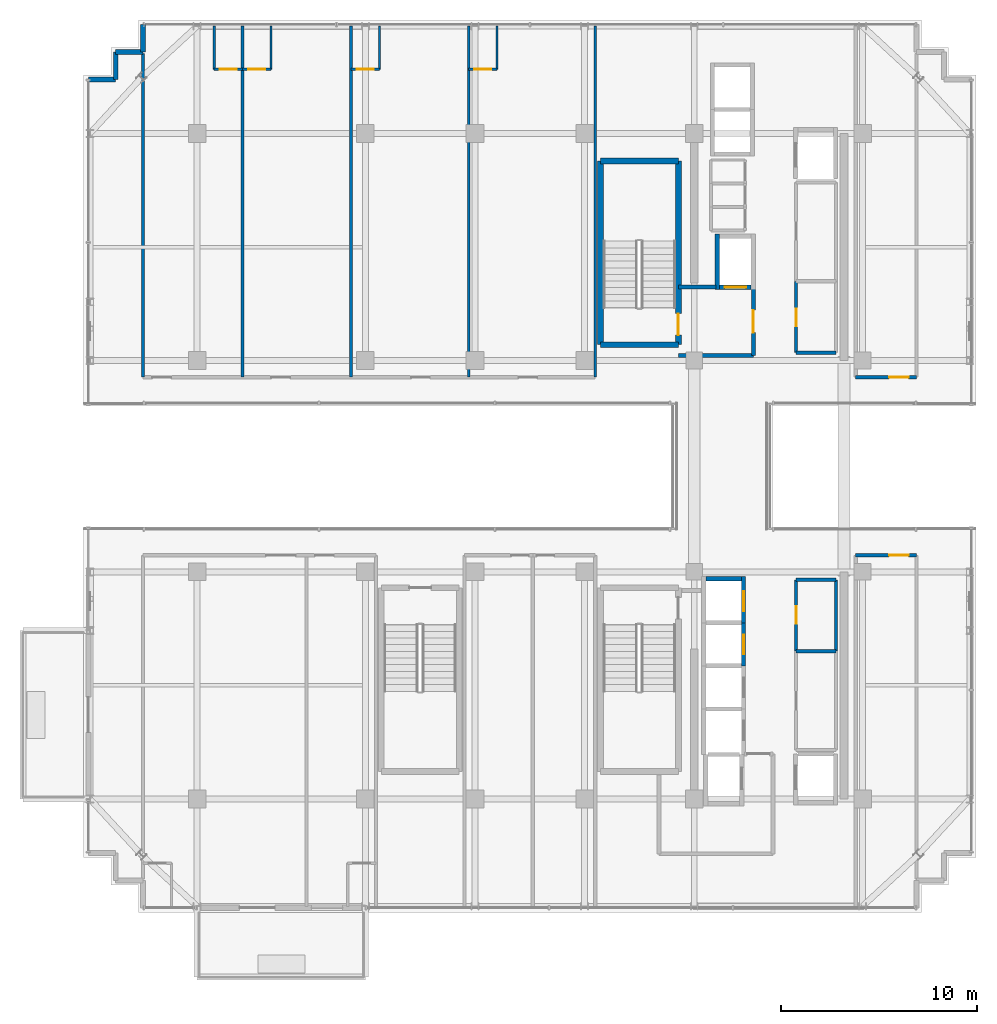
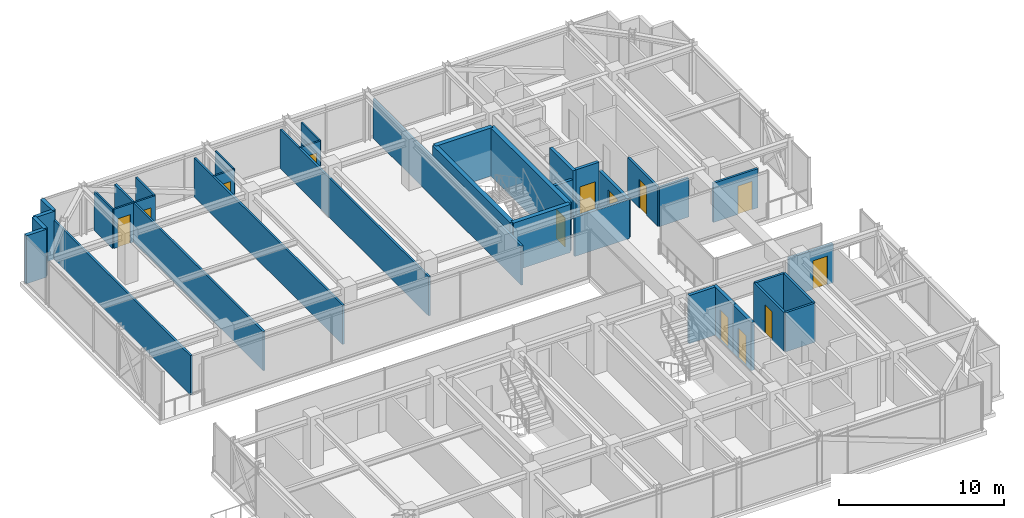
# One storey, part 32 of 37: 37 walls, 13 doors, 13 openings.
"""IFC4 building model written with IfcOpenShell, lengths in metres."""

from ifc_helpers import new_model, si_unit, direction, frame, frame_2d, origin, place, context, subcontext, project, spatial, rectangle, extrude, source, transform, mapped, material, layer, layer_set, type_object, element, fill, save


model = new_model("IFC4")

# Units and contexts
model_context = context("Model", 3, precision=1e-05, world=origin(), true_north=direction((0.0, 1.0)))
body_context = subcontext(model_context, "Body", "Model", "MODEL_VIEW")
ifc_project = project(units=[si_unit("LENGTHUNIT", "METRE"), si_unit("AREAUNIT", "SQUARE_METRE"), si_unit("VOLUMEUNIT", "CUBIC_METRE"), si_unit("PLANEANGLEUNIT", "RADIAN"), si_unit("MASSUNIT", "GRAM", prefix="KILO")], contexts=[model_context])

# Site, building, storey
site_placement = place(None, origin())
site = spatial("IfcSite", under=ifc_project, at=site_placement, CompositionType="ELEMENT")
building_placement = place(site_placement, origin())
building = spatial("IfcBuilding", under=site, at=building_placement, Name="Nahalor Promenade Grand Hotel", CompositionType="ELEMENT")
storey_placement = place(building_placement, frame((0.0, 0.0, 292.64990234375)))
storey = spatial("IfcBuildingStorey", under=building, at=storey_placement, Name="L75", CompositionType="ELEMENT", Elevation=292.64990234375)

# Walls
ifc_material_1 = material(Name="Concrete B-50 (C40/50)", Category="concrete")
ifc_layer_1 = layer(ifc_material_1, 0.300048828125)
ifc_layer_set_1 = layer_set([ifc_layer_1], Name="Concrete B-50 (C40/50)")
wall_type_1 = type_object("IfcWallType", Name="Wall-ShaftShear-300", PredefinedType="SHEAR", material=ifc_layer_set_1)
shared_shape_1 = source(origin(), body_context, "Body", "SweptSolid", [
    extrude(rectangle(XDim=3.97998046875, YDim=0.300048828125, at=frame_2d((1.989990234375, 0.0))), origin(), (0.0, 0.0, 1.0), 3.550048828125),
])
for number, where, z_axis, x_axis, name in (
    (1, (3.610107421875, 6.2099609375, 0.0), (0.0, 0.0, 1.0), (1.0, 0.0, 0.0), "L75 Exit Stair ST1 Shaft Wall S"),
    (2, (3.610107421875, 15.590087890625, 0.0), (0.0, 0.0, 1.0), (1.0, 0.0, 0.0), "L75 Exit Stair ST1 Shaft Wall N"),
):
    element("IfcWall", number, at=place(storey_placement, frame(where, z_axis=z_axis, x_axis=x_axis)), inside=storey, type_object=wall_type_1, Name=name, PredefinedType="SHEAR", context=body_context, shape_type="MappedRepresentation", body=[
        mapped(shared_shape_1, transform((0.0, 0.0, 0.0), scale=1.0)),
    ])
shared_shape_2 = source(origin(), body_context, "Body", "SweptSolid", [
    extrude(rectangle(XDim=9.380126953125, YDim=0.300048828125, at=frame_2d((4.68994140625, 0.0))), origin(), (0.0, 0.0, 1.0), 3.550048828125),
])
wall_1_placement = place(storey_placement, frame((3.610107421875, 6.2099609375, 0.0), z_axis=(0.0, 0.0, 1.0), x_axis=(0.0, 1.0, 0.0)))
element("IfcWall", 3, at=wall_1_placement, inside=storey, type_object=wall_type_1, Name="L75 Exit Stair ST1 Shaft Wall W", PredefinedType="SHEAR", context=body_context, shape_type="MappedRepresentation", body=[
    mapped(shared_shape_2, transform((0.0, 0.0, 0.0), scale=1.0)),
])

# Wall, opening, door
wall_2_placement = place(storey_placement, frame((7.590087890625, 6.2099609375, 0.0), z_axis=(0.0, 0.0, 1.0), x_axis=(0.0, 1.0, 0.0)))
wall_2 = element("IfcWall", 4, at=wall_2_placement, inside=storey, type_object=wall_type_1, Name="L75 Exit Stair ST1 Shaft Wall E", PredefinedType="SHEAR", context=body_context, shape_type="MappedRepresentation", body=[
    mapped(shared_shape_2, transform((0.0, 0.0, 0.0), scale=1.0)),
])
opening_1_placement = place(wall_2_placement, frame((0.489990234375, 0.0, 0.0)))
opening_1 = element("IfcOpeningElement", 5, at=opening_1_placement, cuts=wall_2, Name="Opening D-ST1", PredefinedType="OPENING", context=body_context, shape_type="SweptSolid", body=[
    extrude(rectangle(XDim=1.10009765625, YDim=2.14990234375, at=frame_2d((0.550048828125, 1.074951171875))), frame((0.0, 0.159912109375, 0.0), z_axis=(0.0, -1.0, 0.0), x_axis=(1.0, 0.0, 0.0)), (0.0, 0.0, 1.0), 0.320068359375),
])
ifc_material_2 = material(Name="Steel S355JR", Category="steel")
door_type_1 = type_object("IfcDoorType", Name="Door-StairFire-1100", OperationType="NOTDEFINED", PredefinedType="DOOR", material=ifc_material_2)
shared_shape_3 = source(origin(), body_context, "Body", "SweptSolid", [
    extrude(rectangle(XDim=1.10009765625, YDim=2.14990234375, at=frame_2d((0.550048828125, 1.074951171875))), frame((0.0, 0.02490234375, 0.0), z_axis=(0.0, -1.0, 0.0), x_axis=(1.0, 0.0, 0.0)), (0.0, 0.0, 1.0), 0.050048828125),
])
door_1_placement = place(opening_1_placement, origin())
door_1 = element("IfcDoor", 6, at=door_1_placement, inside=storey, type_object=door_type_1, Name="DR-STAIR-ST1-L75", OperationType="SINGLE_SWING_RIGHT", OverallHeight=2.14990234375, OverallWidth=1.10009765625, PredefinedType="DOOR", context=body_context, shape_type="MappedRepresentation", body=[
    mapped(shared_shape_3, transform((0.0, 0.0, 0.0), scale=1.0)),
])
fill(opening_1, door_1)

ifc_layer_2 = layer(ifc_material_1, 0.219970703125)
ifc_layer_set_2 = layer_set([ifc_layer_2], Name="Concrete B-50 (C40/50)")
wall_type_2 = type_object("IfcWallType", Name="Wall-LiftShaft-220", PredefinedType="SHEAR", material=ifc_layer_set_2)
shared_shape_4 = source(origin(), body_context, "Body", "SweptSolid", [
    extrude(rectangle(XDim=2.360107421875, YDim=0.219970703125, at=frame_2d((1.18017578125, 0.0))), origin(), (0.0, 0.0, 1.0), 3.550048828125),
])
wall_3_placement = place(storey_placement, frame((10.919921875, -8.0, 0.0), z_axis=(0.0, 0.0, 1.0), x_axis=(0.0, 1.0, 0.0)))
wall_3 = element("IfcWall", 7, at=wall_3_placement, inside=storey, type_object=wall_type_2, Name="L75 Lift PL9 Hoistway Wall E", PredefinedType="SHEAR", context=body_context, shape_type="MappedRepresentation", body=[
    mapped(shared_shape_4, transform((0.0, 0.0, 0.0), scale=1.0)),
])
opening_2_placement = place(wall_3_placement, frame((0.60009765625, 0.0, 0.0)))
opening_2 = element("IfcOpeningElement", 8, at=opening_2_placement, cuts=wall_3, Name="Opening LD-01", PredefinedType="OPENING", context=body_context, shape_type="SweptSolid", body=[
    extrude(rectangle(XDim=1.0, YDim=2.199951171875, at=frame_2d((0.5, 1.10009765625))), frame((0.0, 0.119873046875, 0.0), z_axis=(0.0, -1.0, 0.0), x_axis=(1.0, 0.0, 0.0)), (0.0, 0.0, 1.0), 0.239990234375),
])
door_type_2 = type_object("IfcDoorType", Name="Door-LiftLanding-1000", OperationType="DOUBLE_DOOR_SLIDING", PredefinedType="DOOR", material=ifc_material_2)
shared_shape_5 = source(origin(), body_context, "Body", "SweptSolid", [
    extrude(rectangle(XDim=1.0, YDim=2.199951171875, at=frame_2d((0.5, 1.10009765625))), frame((0.0, 0.02490234375, 0.0), z_axis=(0.0, -1.0, 0.0), x_axis=(1.0, 0.0, 0.0)), (0.0, 0.0, 1.0), 0.050048828125),
])
door_2_placement = place(opening_2_placement, frame((1.0, 0.0, 0.0), z_axis=(0.0, 0.0, 1.0), x_axis=(-1.0, 0.0, 0.0)))
door_2 = element("IfcDoor", 9, at=door_2_placement, inside=storey, type_object=door_type_2, Name="DR-LIFT-PL9-L75", OperationType="DOUBLE_DOOR_SLIDING", OverallHeight=2.199951171875, OverallWidth=1.0, PredefinedType="DOOR", context=body_context, shape_type="MappedRepresentation", body=[
    mapped(shared_shape_5, transform((0.0, 0.0, 0.0), scale=1.0)),
])
fill(opening_2, door_2)

# Wall
shared_shape_6 = source(origin(), body_context, "Body", "SweptSolid", [
    extrude(rectangle(XDim=1.820068359375, YDim=0.219970703125, at=frame_2d((0.91015625, 0.0))), origin(), (0.0, 0.0, 1.0), 3.550048828125),
])
wall_4_placement = place(storey_placement, frame((8.989990234375, -5.75, 0.0), z_axis=(0.0, 0.0, 1.0), x_axis=(1.0, 0.0, 0.0)))
element("IfcWall", 10, at=wall_4_placement, inside=storey, type_object=wall_type_2, Name="L75 Lift PL9 Hoistway Wall N", PredefinedType="SHEAR", context=body_context, shape_type="MappedRepresentation", body=[
    mapped(shared_shape_6, transform((0.0, 0.0, 0.0), scale=1.0)),
])

# Wall, opening, door
shared_shape_7 = source(origin(), body_context, "Body", "SweptSolid", [
    extrude(rectangle(XDim=2.199951171875, YDim=0.219970703125, at=frame_2d((1.10009765625, 0.0))), origin(), (0.0, 0.0, 1.0), 3.550048828125),
])
wall_5_placement = place(storey_placement, frame((10.919921875, -10.199951171875, 0.0), z_axis=(0.0, 0.0, 1.0), x_axis=(0.0, 1.0, 0.0)))
wall_5 = element("IfcWall", 11, at=wall_5_placement, inside=storey, type_object=wall_type_2, Name="L75 Lift PL10 Hoistway Wall E", PredefinedType="SHEAR", context=body_context, shape_type="MappedRepresentation", body=[
    mapped(shared_shape_7, transform((0.0, 0.0, 0.0), scale=1.0)),
])
opening_3_placement = place(wall_5_placement, frame((0.60009765625, 0.0, 0.0)))
opening_3 = element("IfcOpeningElement", 12, at=opening_3_placement, cuts=wall_5, Name="Opening LD-01", PredefinedType="OPENING", context=body_context, shape_type="SweptSolid", body=[
    extrude(rectangle(XDim=1.0, YDim=2.199951171875, at=frame_2d((0.5, 1.10009765625))), frame((0.0, 0.119873046875, 0.0), z_axis=(0.0, -1.0, 0.0), x_axis=(1.0, 0.0, 0.0)), (0.0, 0.0, 1.0), 0.239990234375),
])
door_3_placement = place(opening_3_placement, frame((1.0, 0.0, 0.0), z_axis=(0.0, 0.0, 1.0), x_axis=(-1.0, 0.0, 0.0)))
door_3 = element("IfcDoor", 13, at=door_3_placement, inside=storey, type_object=door_type_2, Name="DR-LIFT-PL10-L75", OperationType="DOUBLE_DOOR_SLIDING", OverallHeight=2.199951171875, OverallWidth=1.0, PredefinedType="DOOR", context=body_context, shape_type="MappedRepresentation", body=[
    mapped(shared_shape_5, transform((0.0, 0.0, 0.0), scale=1.0)),
])
fill(opening_3, door_3)

# Wall
shared_shape_8 = source(origin(), body_context, "Body", "SweptSolid", [
    extrude(rectangle(XDim=2.820068359375, YDim=0.219970703125, at=frame_2d((1.41015625, 0.0))), origin(), (0.0, 0.0, 1.0), 3.550048828125),
])
wall_6_placement = place(storey_placement, frame((9.580078125, 9.0400390625, 0.0), z_axis=(0.0, 0.0, 1.0), x_axis=(0.0, 1.0, 0.0)))
element("IfcWall", 14, at=wall_6_placement, inside=storey, type_object=wall_type_2, Name="L75 Lift FL1 Hoistway Wall W", PredefinedType="SHEAR", context=body_context, shape_type="MappedRepresentation", body=[
    mapped(shared_shape_8, transform((0.0, 0.0, 0.0), scale=1.0)),
])

# Wall, opening, door
shared_shape_9 = source(origin(), body_context, "Body", "SweptSolid", [
    extrude(rectangle(XDim=1.6201171875, YDim=0.219970703125, at=frame_2d((0.81005859375, 0.0))), origin(), (0.0, 0.0, 1.0), 3.550048828125),
])
wall_7_placement = place(storey_placement, frame((9.68994140625, 9.14990234375, 0.0), z_axis=(0.0, 0.0, 1.0), x_axis=(1.0, 0.0, 0.0)))
wall_7 = element("IfcWall", 15, at=wall_7_placement, inside=storey, type_object=wall_type_2, Name="L75 Lift FL1 Hoistway Wall S", PredefinedType="SHEAR", context=body_context, shape_type="MappedRepresentation", body=[
    mapped(shared_shape_9, transform((0.0, 0.0, 0.0), scale=1.0)),
])
opening_4_placement = place(wall_7_placement, frame((0.260009765625, 0.0, 0.0)))
opening_4 = element("IfcOpeningElement", 16, at=opening_4_placement, cuts=wall_7, Name="Opening LD-02", PredefinedType="OPENING", context=body_context, shape_type="SweptSolid", body=[
    extrude(rectangle(XDim=1.10009765625, YDim=2.199951171875, at=frame_2d((0.550048828125, 1.10009765625))), frame((0.0, 0.119873046875, 0.0), z_axis=(0.0, -1.0, 0.0), x_axis=(1.0, 0.0, 0.0)), (0.0, 0.0, 1.0), 0.239990234375),
])
door_type_3 = type_object("IfcDoorType", Name="Door-LiftFF-1100", OperationType="DOUBLE_DOOR_SLIDING", PredefinedType="DOOR", material=ifc_material_2)
shared_shape_10 = source(origin(), body_context, "Body", "SweptSolid", [
    extrude(rectangle(XDim=1.10009765625, YDim=2.199951171875, at=frame_2d((0.550048828125, 1.10009765625))), frame((0.0, 0.02490234375, 0.0), z_axis=(0.0, -1.0, 0.0), x_axis=(1.0, 0.0, 0.0)), (0.0, 0.0, 1.0), 0.050048828125),
])
door_4_placement = place(opening_4_placement, frame((1.10009765625, 0.0, 0.0), z_axis=(0.0, 0.0, 1.0), x_axis=(-1.0, 0.0, 0.0)))
door_4 = element("IfcDoor", 17, at=door_4_placement, inside=storey, type_object=door_type_3, Name="DR-LIFT-FL1-L75", OperationType="DOUBLE_DOOR_SLIDING", OverallHeight=2.199951171875, OverallWidth=1.10009765625, PredefinedType="DOOR", context=body_context, shape_type="MappedRepresentation", body=[
    mapped(shared_shape_10, transform((0.0, 0.0, 0.0), scale=1.0)),
])
fill(opening_4, door_4)

# Walls
ifc_material_3 = material(Name="Concrete B-40 (C32/40)", Category="concrete")
ifc_layer_3 = layer(ifc_material_3, 0.25)
ifc_layer_set_3 = layer_set([ifc_layer_3], Name="Concrete B-40 (C32/40)")
wall_type_3 = type_object("IfcWallType", Name="Wall-BronzePier-250", PredefinedType="STANDARD", material=ifc_layer_set_3)
shared_shape_11 = source(origin(), body_context, "Body", "SweptSolid", [
    extrude(rectangle(XDim=1.400146484375, YDim=0.25, at=frame_2d((0.7001953125, 0.0))), origin(), (0.0, 0.0, 1.0), 3.550048828125),
])
for number, where, z_axis, x_axis, name in (
    (18, (-19.760009765625, 21.159912109375, 0.0), (0.0, 0.0, 1.0), (0.0, 1.0, 0.0), "W-L75-SR-09"),
    (19, (-22.56005859375, 19.760009765625, 0.0), (0.0, 0.0, 1.0), (1.0, 0.0, 0.0), "W-L75-SR-12"),
):
    element("IfcWall", number, at=place(storey_placement, frame(where, z_axis=z_axis, x_axis=x_axis)), inside=storey, type_object=wall_type_3, Name=name, PredefinedType="STANDARD", context=body_context, shape_type="MappedRepresentation", body=[
        mapped(shared_shape_11, transform((0.0, 0.0, 0.0), scale=1.0)),
    ])
shared_shape_12 = source(origin(), body_context, "Body", "SweptSolid", [
    extrude(rectangle(XDim=1.39990234375, YDim=0.25, at=frame_2d((0.699951171875, 0.0))), origin(), (0.0, 0.0, 1.0), 3.550048828125),
])
for number, where, z_axis, x_axis, name in (
    (20, (-21.159912109375, 21.159912109375, 0.0), (0.0, 0.0, 1.0), (1.0, 0.0, 0.0), "W-L75-SR-10"),
    (21, (-21.159912109375, 19.760009765625, 0.0), (0.0, 0.0, 1.0), (0.0, 1.0, 0.0), "W-L75-SR-11"),
):
    element("IfcWall", number, at=place(storey_placement, frame(where, z_axis=z_axis, x_axis=x_axis)), inside=storey, type_object=wall_type_3, Name=name, PredefinedType="STANDARD", context=body_context, shape_type="MappedRepresentation", body=[
        mapped(shared_shape_12, transform((0.0, 0.0, 0.0), scale=1.0)),
    ])
ifc_layer_4 = layer(ifc_material_3, 0.199951171875)
ifc_layer_set_4 = layer_set([ifc_layer_4], Name="Concrete B-40 (C32/40)")
wall_type_4 = type_object("IfcWallType", Name="Wall-PartFire-200", PredefinedType="PARTITIONING", material=ifc_layer_set_4)
shared_shape_13 = source(origin(), body_context, "Body", "SweptSolid", [
    extrude(rectangle(XDim=3.81982421875, YDim=0.199951171875, at=frame_2d((1.909912109375, 0.0))), origin(), (0.0, 0.0, 1.0), 2.89013671875),
])
wall_8_placement = place(storey_placement, frame((7.60009765625, 5.64990234375, 0.0), z_axis=(0.0, 0.0, 1.0), x_axis=(1.0, 0.0, 0.0)))
element("IfcWall", 22, at=wall_8_placement, inside=storey, type_object=wall_type_4, Name="W-L75-FF1-S", PredefinedType="PARTITIONING", context=body_context, shape_type="MappedRepresentation", body=[
    mapped(shared_shape_13, transform((0.0, 0.0, 0.0), scale=1.0)),
])
shared_shape_14 = source(origin(), body_context, "Body", "SweptSolid", [
    extrude(rectangle(XDim=1.89990234375, YDim=0.199951171875, at=frame_2d((0.949951171875, 0.0))), origin(), (0.0, 0.0, 1.0), 2.89013671875),
])
wall_9_placement = place(storey_placement, frame((7.60009765625, 9.14990234375, 0.0), z_axis=(0.0, 0.0, 1.0), x_axis=(1.0, 0.0, 0.0)))
element("IfcWall", 23, at=wall_9_placement, inside=storey, type_object=wall_type_4, Name="W-L75-FF1-N", PredefinedType="PARTITIONING", context=body_context, shape_type="MappedRepresentation", body=[
    mapped(shared_shape_14, transform((0.0, 0.0, 0.0), scale=1.0)),
])

# Wall, opening, door
shared_shape_15 = source(origin(), body_context, "Body", "SweptSolid", [
    extrude(rectangle(XDim=3.5, YDim=0.199951171875, at=frame_2d((1.75, 0.0))), origin(), (0.0, 0.0, 1.0), 2.89013671875),
])
wall_10_placement = place(storey_placement, frame((11.419921875, 5.64990234375, 0.0), z_axis=(0.0, 0.0, 1.0), x_axis=(0.0, 1.0, 0.0)))
wall_10 = element("IfcWall", 24, at=wall_10_placement, inside=storey, type_object=wall_type_4, Name="W-L75-FF1-E", PredefinedType="PARTITIONING", context=body_context, shape_type="MappedRepresentation", body=[
    mapped(shared_shape_15, transform((0.0, 0.0, 0.0), scale=1.0)),
])
opening_5_placement = place(wall_10_placement, frame((1.175048828125, 0.0, 0.0)))
opening_5 = element("IfcOpeningElement", 25, at=opening_5_placement, cuts=wall_10, Name="Opening D-FF1", PredefinedType="OPENING", context=body_context, shape_type="SweptSolid", body=[
    extrude(rectangle(XDim=1.14990234375, YDim=2.14990234375, at=frame_2d((0.574951171875, 1.074951171875))), frame((0.0, 0.10986328125, 0.0), z_axis=(0.0, -1.0, 0.0), x_axis=(1.0, 0.0, 0.0)), (0.0, 0.0, 1.0), 0.219970703125),
])
door_type_4 = type_object("IfcDoorType", Name="Door-FFLobby-1150", OperationType="NOTDEFINED", PredefinedType="DOOR", material=ifc_material_2)
shared_shape_16 = source(origin(), body_context, "Body", "SweptSolid", [
    extrude(rectangle(XDim=1.14990234375, YDim=2.14990234375, at=frame_2d((0.574951171875, 1.074951171875))), frame((0.0, 0.02490234375, 0.0), z_axis=(0.0, -1.0, 0.0), x_axis=(1.0, 0.0, 0.0)), (0.0, 0.0, 1.0), 0.050048828125),
])
door_5_placement = place(opening_5_placement, frame((1.14990234375, 0.0, 0.0), z_axis=(0.0, 0.0, 1.0), x_axis=(-1.0, 0.0, 0.0)))
door_5 = element("IfcDoor", 26, at=door_5_placement, inside=storey, type_object=door_type_4, Name="DR-L75-FFL1", OperationType="SINGLE_SWING_LEFT", OverallHeight=2.14990234375, OverallWidth=1.14990234375, PredefinedType="DOOR", context=body_context, shape_type="MappedRepresentation", body=[
    mapped(shared_shape_16, transform((0.0, 0.0, 0.0), scale=1.0)),
])
fill(opening_5, door_5)

# Walls
ifc_material_4 = material(Name="Acoustic Mineral Gypsum", Category="gypsum")
ifc_layer_5 = layer(ifc_material_4, 0.159912109375)
ifc_layer_set_5 = layer_set([ifc_layer_5], Name="Acoustic Mineral Gypsum")
wall_type_5 = type_object("IfcWallType", Name="Wall-PartCorridor-160", PredefinedType="PARTITIONING", material=ifc_layer_set_5)
shared_shape_17 = source(origin(), body_context, "Body", "SweptSolid", [
    extrude(rectangle(XDim=2.0498046875, YDim=0.159912109375, at=frame_2d((1.02490234375, 0.0))), origin(), (0.0, 0.0, 1.0), 2.89013671875),
])
for number, where, z_axis, x_axis, name in (
    (27, (13.60009765625, 5.800048828125, 0.0), (0.0, 0.0, 1.0), (1.0, 0.0, 0.0), "W-L75-FRB1A-S"),
    (28, (13.60009765625, -9.449951171875, 0.0), (0.0, 0.0, 1.0), (1.0, 0.0, 0.0), "W-L75-FRB2A-N"),
    (29, (13.60009765625, -5.800048828125, 0.0), (0.0, 0.0, 1.0), (1.0, 0.0, 0.0), "W-L75-FRB2B-N"),
):
    element("IfcWall", number, at=place(storey_placement, frame(where, z_axis=z_axis, x_axis=x_axis)), inside=storey, type_object=wall_type_5, Name=name, PredefinedType="PARTITIONING", context=body_context, shape_type="MappedRepresentation", body=[
        mapped(shared_shape_17, transform((0.0, 0.0, 0.0), scale=1.0)),
    ])

# Wall, opening, door
shared_shape_18 = source(origin(), body_context, "Body", "SweptSolid", [
    extrude(rectangle(XDim=3.64990234375, YDim=0.159912109375, at=frame_2d((1.824951171875, 0.0))), origin(), (0.0, 0.0, 1.0), 2.89013671875),
])
wall_11_placement = place(storey_placement, frame((13.60009765625, 5.800048828125, 0.0), z_axis=(0.0, 0.0, 1.0), x_axis=(0.0, 1.0, 0.0)))
wall_11 = element("IfcWall", 30, at=wall_11_placement, inside=storey, type_object=wall_type_5, Name="W-L75-FRB1A-W", PredefinedType="PARTITIONING", context=body_context, shape_type="MappedRepresentation", body=[
    mapped(shared_shape_18, transform((0.0, 0.0, 0.0), scale=1.0)),
])
opening_6_placement = place(wall_11_placement, frame((1.360107421875, 0.0, 0.0)))
opening_6 = element("IfcOpeningElement", 31, at=opening_6_placement, cuts=wall_11, Name="Opening D-03", PredefinedType="OPENING", context=body_context, shape_type="SweptSolid", body=[
    extrude(rectangle(XDim=0.8798828125, YDim=2.10009765625, at=frame_2d((0.43994140625, 1.050048828125))), frame((0.0, 0.08984375, 0.0), z_axis=(0.0, -1.0, 0.0), x_axis=(1.0, 0.0, 0.0)), (0.0, 0.0, 1.0), 0.179931640625),
])
ifc_material_5 = material(Name="Fire-Rated Timber Composite", Category="wood")
door_type_5 = type_object("IfcDoorType", Name="Door-BathSwing-880", OperationType="NOTDEFINED", PredefinedType="DOOR", material=ifc_material_5)
shared_shape_19 = source(origin(), body_context, "Body", "SweptSolid", [
    extrude(rectangle(XDim=0.8798828125, YDim=2.10009765625, at=frame_2d((0.43994140625, 1.050048828125))), frame((0.0, 0.02490234375, 0.0), z_axis=(0.0, -1.0, 0.0), x_axis=(1.0, 0.0, 0.0)), (0.0, 0.0, 1.0), 0.050048828125),
])
door_6_placement = place(opening_6_placement, frame((0.8798828125, 0.0, 0.0), z_axis=(0.0, 0.0, 1.0), x_axis=(-1.0, 0.0, 0.0)))
door_6 = element("IfcDoor", 32, at=door_6_placement, inside=storey, type_object=door_type_5, Name="DR-L75-FRB1A", OperationType="SINGLE_SWING_RIGHT", OverallHeight=2.10009765625, OverallWidth=0.8798828125, PredefinedType="DOOR", context=body_context, shape_type="MappedRepresentation", body=[
    mapped(shared_shape_19, transform((0.0, 0.0, 0.0), scale=1.0)),
])
fill(opening_6, door_6)

wall_12_placement = place(storey_placement, frame((13.60009765625, -9.449951171875, 0.0), z_axis=(0.0, 0.0, 1.0), x_axis=(0.0, 1.0, 0.0)))
wall_12 = element("IfcWall", 33, at=wall_12_placement, inside=storey, type_object=wall_type_5, Name="W-L75-FRB2B-W", PredefinedType="PARTITIONING", context=body_context, shape_type="MappedRepresentation", body=[
    mapped(shared_shape_18, transform((0.0, 0.0, 0.0), scale=1.0)),
])
opening_7_placement = place(wall_12_placement, frame((1.409912109375, 0.0, 0.0)))
opening_7 = element("IfcOpeningElement", 34, at=opening_7_placement, cuts=wall_12, Name="Opening D-03", PredefinedType="OPENING", context=body_context, shape_type="SweptSolid", body=[
    extrude(rectangle(XDim=0.8798828125, YDim=2.10009765625, at=frame_2d((0.43994140625, 1.050048828125))), frame((0.0, 0.08984375, 0.0), z_axis=(0.0, -1.0, 0.0), x_axis=(1.0, 0.0, 0.0)), (0.0, 0.0, 1.0), 0.179931640625),
])
door_7_placement = place(opening_7_placement, frame((0.8798828125, 0.0, 0.0), z_axis=(0.0, 0.0, 1.0), x_axis=(-1.0, 0.0, 0.0)))
door_7 = element("IfcDoor", 35, at=door_7_placement, inside=storey, type_object=door_type_5, Name="DR-L75-FRB2B", OperationType="SINGLE_SWING_LEFT", OverallHeight=2.10009765625, OverallWidth=0.8798828125, PredefinedType="DOOR", context=body_context, shape_type="MappedRepresentation", body=[
    mapped(shared_shape_19, transform((0.0, 0.0, 0.0), scale=1.0)),
])
fill(opening_7, door_7)

# Wall
wall_13_placement = place(storey_placement, frame((15.64990234375, -9.449951171875, 0.0), z_axis=(0.0, 0.0, 1.0), x_axis=(0.0, 1.0, 0.0)))
element("IfcWall", 36, at=wall_13_placement, inside=storey, type_object=wall_type_5, Name="W-L75-FRB2B-E", PredefinedType="PARTITIONING", context=body_context, shape_type="MappedRepresentation", body=[
    mapped(shared_shape_18, transform((0.0, 0.0, 0.0), scale=1.0)),
])

# Wall, opening, door
shared_shape_20 = source(origin(), body_context, "Body", "SweptSolid", [
    extrude(rectangle(XDim=3.110107421875, YDim=0.159912109375, at=frame_2d((1.55517578125, 0.0))), origin(), (0.0, 0.0, 1.0), 2.89013671875),
])
wall_14_placement = place(storey_placement, frame((16.64990234375, 4.550048828125, 0.0), z_axis=(0.0, 0.0, 1.0), x_axis=(1.0, 0.0, 0.0)))
wall_14 = element("IfcWall", 37, at=wall_14_placement, inside=storey, type_object=wall_type_5, Name="W-L75-ENE-S", PredefinedType="PARTITIONING", context=body_context, shape_type="MappedRepresentation", body=[
    mapped(shared_shape_20, transform((0.0, 0.0, 0.0), scale=1.0)),
])
opening_8_placement = place(wall_14_placement, frame((1.700927734375, 0.0, 0.0)))
opening_8 = element("IfcOpeningElement", 38, at=opening_8_placement, cuts=wall_14, Name="Opening D-04", PredefinedType="OPENING", context=body_context, shape_type="SweptSolid", body=[
    extrude(rectangle(XDim=1.0, YDim=2.10009765625, at=frame_2d((0.5, 1.050048828125))), frame((0.0, 0.08984375, 0.0), z_axis=(0.0, -1.0, 0.0), x_axis=(1.0, 0.0, 0.0)), (0.0, 0.0, 1.0), 0.179931640625),
])
door_type_6 = type_object("IfcDoorType", Name="Door-ServiceFire-1000", OperationType="NOTDEFINED", PredefinedType="DOOR", material=ifc_material_2)
shared_shape_21 = source(origin(), body_context, "Body", "SweptSolid", [
    extrude(rectangle(XDim=1.0, YDim=2.10009765625, at=frame_2d((0.5, 1.050048828125))), frame((0.0, 0.02490234375, 0.0), z_axis=(0.0, -1.0, 0.0), x_axis=(1.0, 0.0, 0.0)), (0.0, 0.0, 1.0), 0.050048828125),
])
door_8_placement = place(opening_8_placement, origin())
door_8 = element("IfcDoor", 39, at=door_8_placement, inside=storey, type_object=door_type_6, Name="DR-L75-ENE", OperationType="SINGLE_SWING_RIGHT", OverallHeight=2.10009765625, OverallWidth=1.0, PredefinedType="DOOR", context=body_context, shape_type="MappedRepresentation", body=[
    mapped(shared_shape_21, transform((0.0, 0.0, 0.0), scale=1.0)),
])
fill(opening_8, door_8)

wall_15_placement = place(storey_placement, frame((16.64990234375, -4.550048828125, 0.0), z_axis=(0.0, 0.0, 1.0), x_axis=(1.0, 0.0, 0.0)))
wall_15 = element("IfcWall", 40, at=wall_15_placement, inside=storey, type_object=wall_type_5, Name="W-L75-ESE-N", PredefinedType="PARTITIONING", context=body_context, shape_type="MappedRepresentation", body=[
    mapped(shared_shape_20, transform((0.0, 0.0, 0.0), scale=1.0)),
])
opening_9_placement = place(wall_15_placement, frame((1.700927734375, 0.0, 0.0)))
opening_9 = element("IfcOpeningElement", 41, at=opening_9_placement, cuts=wall_15, Name="Opening D-04", PredefinedType="OPENING", context=body_context, shape_type="SweptSolid", body=[
    extrude(rectangle(XDim=1.0, YDim=2.10009765625, at=frame_2d((0.5, 1.050048828125))), frame((0.0, 0.08984375, 0.0), z_axis=(0.0, -1.0, 0.0), x_axis=(1.0, 0.0, 0.0)), (0.0, 0.0, 1.0), 0.179931640625),
])
door_9_placement = place(opening_9_placement, frame((1.0, 0.0, 0.0), z_axis=(0.0, 0.0, 1.0), x_axis=(-1.0, 0.0, 0.0)))
door_9 = element("IfcDoor", 42, at=door_9_placement, inside=storey, type_object=door_type_6, Name="DR-L75-ESE", OperationType="SINGLE_SWING_LEFT", OverallHeight=2.10009765625, OverallWidth=1.0, PredefinedType="DOOR", context=body_context, shape_type="MappedRepresentation", body=[
    mapped(shared_shape_21, transform((0.0, 0.0, 0.0), scale=1.0)),
])
fill(opening_9, door_9)

# Walls
ifc_layer_6 = layer(ifc_material_4, 0.139892578125)
ifc_layer_set_6 = layer_set([ifc_layer_6], Name="Acoustic Mineral Gypsum")
wall_type_6 = type_object("IfcWallType", Name="Wall-PartSuite-140", PredefinedType="PARTITIONING", material=ifc_layer_set_6)
shared_shape_22 = source(origin(), body_context, "Body", "SweptSolid", [
    extrude(rectangle(XDim=16.530029296875, YDim=0.139892578125, at=frame_2d((8.26513671875, 0.0))), origin(), (0.0, 0.0, 1.0), 2.89013671875),
])
wall_16_placement = place(storey_placement, frame((-19.760009765625, 4.550048828125, 0.0), z_axis=(0.0, 0.0, 1.0), x_axis=(0.0, 1.0, 0.0)))
element("IfcWall", 43, at=wall_16_placement, inside=storey, type_object=wall_type_6, Name="W-L75-NW-ENDW", PredefinedType="PARTITIONING", context=body_context, shape_type="MappedRepresentation", body=[
    mapped(shared_shape_22, transform((0.0, 0.0, 0.0), scale=1.0)),
])
shared_shape_23 = source(origin(), body_context, "Body", "SweptSolid", [
    extrude(rectangle(XDim=17.949951171875, YDim=0.139892578125, at=frame_2d((8.97509765625, 0.0))), origin(), (0.0, 0.0, 1.0), 2.89013671875),
])
for number, where, z_axis, x_axis, name in (
    (44, (3.340087890625, 4.550048828125, 0.0), (0.0, 0.0, 1.0), (0.0, 1.0, 0.0), "W-L75-NW-ENDE"),
    (45, (-14.677978515625, 4.550048828125, 0.0), (0.0, 0.0, 1.0), (0.0, 1.0, 0.0), "W-L75-NP-1"),
    (46, (-9.134033203125, 4.550048828125, 0.0), (0.0, 0.0, 1.0), (0.0, 1.0, 0.0), "W-L75-NP-2"),
    (47, (-3.1279296875, 4.550048828125, 0.0), (0.0, 0.0, 1.0), (0.0, 1.0, 0.0), "W-L75-NP-3"),
):
    element("IfcWall", number, at=place(storey_placement, frame(where, z_axis=z_axis, x_axis=x_axis)), inside=storey, type_object=wall_type_6, Name=name, PredefinedType="PARTITIONING", context=body_context, shape_type="MappedRepresentation", body=[
        mapped(shared_shape_23, transform((0.0, 0.0, 0.0), scale=1.0)),
    ])

# Wall, opening, door
ifc_layer_7 = layer(ifc_material_4, 0.1201171875)
ifc_layer_set_7 = layer_set([ifc_layer_7], Name="Acoustic Mineral Gypsum")
wall_type_7 = type_object("IfcWallType", Name="Wall-PartBath-120", PredefinedType="PARTITIONING", material=ifc_layer_set_7)
shared_shape_24 = source(origin(), body_context, "Body", "SweptSolid", [
    extrude(rectangle(XDim=1.449951171875, YDim=0.1201171875, at=frame_2d((0.72509765625, 0.0))), origin(), (0.0, 0.0, 1.0), 2.89013671875),
])
wall_17_placement = place(storey_placement, frame((-16.1279296875, 20.280029296875, 0.0), z_axis=(0.0, 0.0, 1.0), x_axis=(1.0, 0.0, 0.0)))
wall_17 = element("IfcWall", 48, at=wall_17_placement, inside=storey, type_object=wall_type_7, Name="W-L75-N1-BH", PredefinedType="PARTITIONING", context=body_context, shape_type="MappedRepresentation", body=[
    mapped(shared_shape_24, transform((0.0, 0.0, 0.0), scale=1.0)),
])
opening_10_placement = place(wall_17_placement, frame((0.284912109375, 0.0, 0.0)))
opening_10 = element("IfcOpeningElement", 49, at=opening_10_placement, cuts=wall_17, Name="Opening D-03", PredefinedType="OPENING", context=body_context, shape_type="SweptSolid", body=[
    extrude(rectangle(XDim=0.8798828125, YDim=2.10009765625, at=frame_2d((0.43994140625, 1.050048828125))), frame((0.0, 0.070068359375, 0.0), z_axis=(0.0, -1.0, 0.0), x_axis=(1.0, 0.0, 0.0)), (0.0, 0.0, 1.0), 0.14013671875),
])
door_10_placement = place(opening_10_placement, origin())
door_10 = element("IfcDoor", 50, at=door_10_placement, inside=storey, type_object=door_type_5, Name="DR-L75-N1-BATH", OperationType="SINGLE_SWING_RIGHT", OverallHeight=2.10009765625, OverallWidth=0.8798828125, PredefinedType="DOOR", context=body_context, shape_type="MappedRepresentation", body=[
    mapped(shared_shape_19, transform((0.0, 0.0, 0.0), scale=1.0)),
])
fill(opening_10, door_10)

wall_18_placement = place(storey_placement, frame((-14.677978515625, 20.280029296875, 0.0), z_axis=(0.0, 0.0, 1.0), x_axis=(1.0, 0.0, 0.0)))
wall_18 = element("IfcWall", 51, at=wall_18_placement, inside=storey, type_object=wall_type_7, Name="W-L75-N2-BH", PredefinedType="PARTITIONING", context=body_context, shape_type="MappedRepresentation", body=[
    mapped(shared_shape_24, transform((0.0, 0.0, 0.0), scale=1.0)),
])
opening_11_placement = place(wall_18_placement, frame((0.284912109375, 0.0, 0.0)))
opening_11 = element("IfcOpeningElement", 52, at=opening_11_placement, cuts=wall_18, Name="Opening D-03", PredefinedType="OPENING", context=body_context, shape_type="SweptSolid", body=[
    extrude(rectangle(XDim=0.8798828125, YDim=2.10009765625, at=frame_2d((0.43994140625, 1.050048828125))), frame((0.0, 0.070068359375, 0.0), z_axis=(0.0, -1.0, 0.0), x_axis=(1.0, 0.0, 0.0)), (0.0, 0.0, 1.0), 0.14013671875),
])
door_11_placement = place(opening_11_placement, origin())
door_11 = element("IfcDoor", 53, at=door_11_placement, inside=storey, type_object=door_type_5, Name="DR-L75-N2-BATH", OperationType="SINGLE_SWING_RIGHT", OverallHeight=2.10009765625, OverallWidth=0.8798828125, PredefinedType="DOOR", context=body_context, shape_type="MappedRepresentation", body=[
    mapped(shared_shape_19, transform((0.0, 0.0, 0.0), scale=1.0)),
])
fill(opening_11, door_11)

wall_19_placement = place(storey_placement, frame((-9.134033203125, 20.280029296875, 0.0), z_axis=(0.0, 0.0, 1.0), x_axis=(1.0, 0.0, 0.0)))
wall_19 = element("IfcWall", 54, at=wall_19_placement, inside=storey, type_object=wall_type_7, Name="W-L75-N3-BH", PredefinedType="PARTITIONING", context=body_context, shape_type="MappedRepresentation", body=[
    mapped(shared_shape_24, transform((0.0, 0.0, 0.0), scale=1.0)),
])
opening_12_placement = place(wall_19_placement, frame((0.284912109375, 0.0, 0.0)))
opening_12 = element("IfcOpeningElement", 55, at=opening_12_placement, cuts=wall_19, Name="Opening D-03", PredefinedType="OPENING", context=body_context, shape_type="SweptSolid", body=[
    extrude(rectangle(XDim=0.8798828125, YDim=2.10009765625, at=frame_2d((0.43994140625, 1.050048828125))), frame((0.0, 0.070068359375, 0.0), z_axis=(0.0, -1.0, 0.0), x_axis=(1.0, 0.0, 0.0)), (0.0, 0.0, 1.0), 0.14013671875),
])
door_12_placement = place(opening_12_placement, origin())
door_12 = element("IfcDoor", 56, at=door_12_placement, inside=storey, type_object=door_type_5, Name="DR-L75-N3-BATH", OperationType="SINGLE_SWING_RIGHT", OverallHeight=2.10009765625, OverallWidth=0.8798828125, PredefinedType="DOOR", context=body_context, shape_type="MappedRepresentation", body=[
    mapped(shared_shape_19, transform((0.0, 0.0, 0.0), scale=1.0)),
])
fill(opening_12, door_12)

wall_20_placement = place(storey_placement, frame((-3.1279296875, 20.280029296875, 0.0), z_axis=(0.0, 0.0, 1.0), x_axis=(1.0, 0.0, 0.0)))
wall_20 = element("IfcWall", 57, at=wall_20_placement, inside=storey, type_object=wall_type_7, Name="W-L75-N4-BH", PredefinedType="PARTITIONING", context=body_context, shape_type="MappedRepresentation", body=[
    mapped(shared_shape_24, transform((0.0, 0.0, 0.0), scale=1.0)),
])
opening_13_placement = place(wall_20_placement, frame((0.284912109375, 0.0, 0.0)))
opening_13 = element("IfcOpeningElement", 58, at=opening_13_placement, cuts=wall_20, Name="Opening D-03", PredefinedType="OPENING", context=body_context, shape_type="SweptSolid", body=[
    extrude(rectangle(XDim=0.8798828125, YDim=2.10009765625, at=frame_2d((0.43994140625, 1.050048828125))), frame((0.0, 0.070068359375, 0.0), z_axis=(0.0, -1.0, 0.0), x_axis=(1.0, 0.0, 0.0)), (0.0, 0.0, 1.0), 0.14013671875),
])
door_13_placement = place(opening_13_placement, origin())
door_13 = element("IfcDoor", 59, at=door_13_placement, inside=storey, type_object=door_type_5, Name="DR-L75-N4-BATH", OperationType="SINGLE_SWING_RIGHT", OverallHeight=2.10009765625, OverallWidth=0.8798828125, PredefinedType="DOOR", context=body_context, shape_type="MappedRepresentation", body=[
    mapped(shared_shape_19, transform((0.0, 0.0, 0.0), scale=1.0)),
])
fill(opening_13, door_13)

# Walls
shared_shape_25 = source(origin(), body_context, "Body", "SweptSolid", [
    extrude(rectangle(XDim=2.219970703125, YDim=0.1201171875, at=frame_2d((1.10986328125, 0.0))), origin(), (0.0, 0.0, 1.0), 2.89013671875),
])
for number, where, z_axis, x_axis, name in (
    (60, (-16.1279296875, 20.280029296875, 0.0), (0.0, 0.0, 1.0), (0.0, 1.0, 0.0), "W-L75-N1-BV"),
    (61, (-13.22802734375, 20.280029296875, 0.0), (0.0, 0.0, 1.0), (0.0, 1.0, 0.0), "W-L75-N2-BV"),
    (62, (-7.68408203125, 20.280029296875, 0.0), (0.0, 0.0, 1.0), (0.0, 1.0, 0.0), "W-L75-N3-BV"),
    (63, (-1.677978515625, 20.280029296875, 0.0), (0.0, 0.0, 1.0), (0.0, 1.0, 0.0), "W-L75-N4-BV"),
):
    element("IfcWall", number, at=place(storey_placement, frame(where, z_axis=z_axis, x_axis=x_axis)), inside=storey, type_object=wall_type_7, Name=name, PredefinedType="PARTITIONING", context=body_context, shape_type="MappedRepresentation", body=[
        mapped(shared_shape_25, transform((0.0, 0.0, 0.0), scale=1.0)),
    ])

save(model, "model.ifc")
